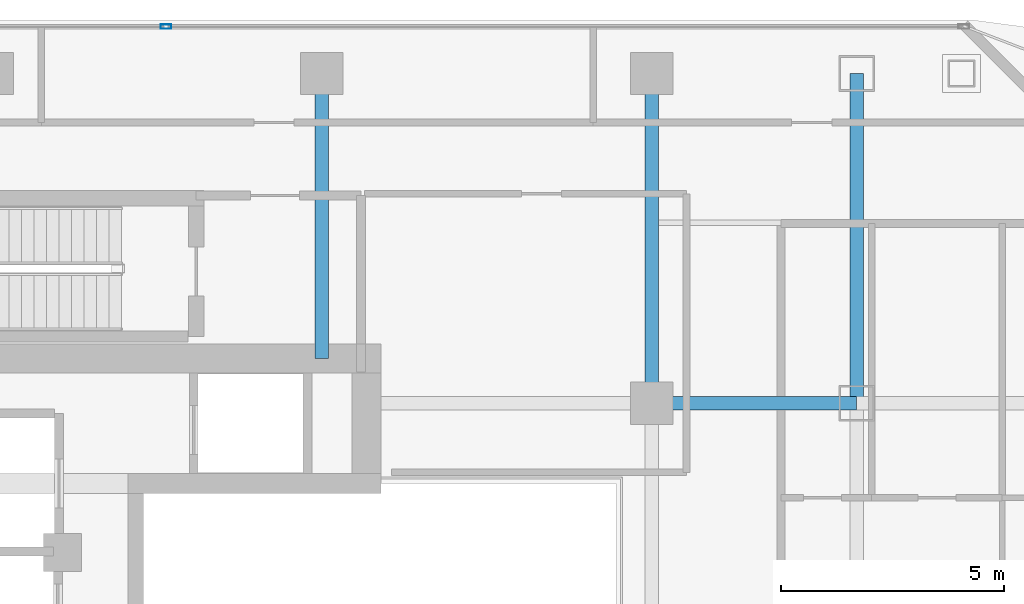
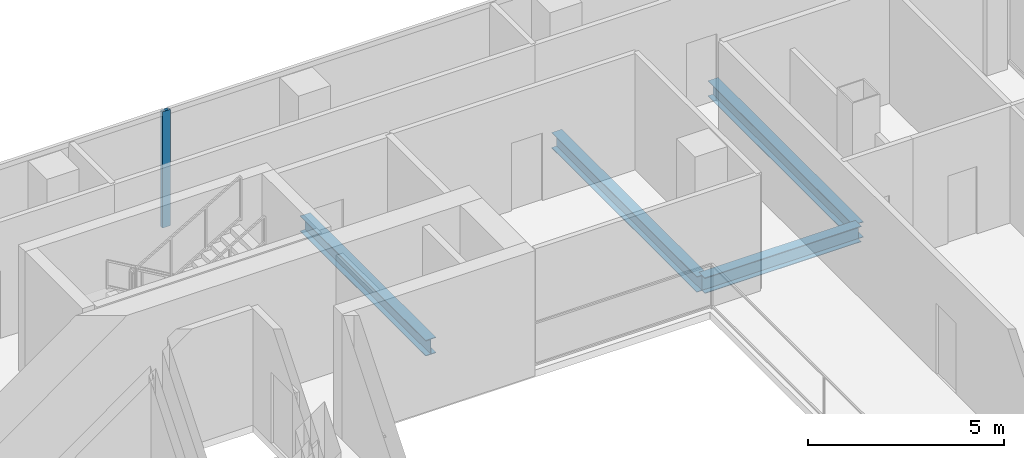
# One storey, part 16 of 26: 4 beams, 1 member, 1 element without a shape of its own.
"""IFC4 building model written with IfcOpenShell, lengths in metres."""

from ifc_helpers import new_model, si_unit, direction, frame, origin, origin_2d, place, context, subcontext, project, spatial, hollow_rectangle, i_section, extrude, material, layer, layer_set, material_profile, profile_set, type_object, element, aggregate, save


model = new_model("IFC4")

# Units and contexts
model_context = context("Model", 3, precision=1e-05, world=origin(), true_north=direction((0.0, 1.0)))
body_context = subcontext(model_context, "Body", "Model", "MODEL_VIEW")
ifc_project = project(units=[si_unit("LENGTHUNIT", "METRE"), si_unit("AREAUNIT", "SQUARE_METRE"), si_unit("VOLUMEUNIT", "CUBIC_METRE"), si_unit("PLANEANGLEUNIT", "RADIAN"), si_unit("MASSUNIT", "GRAM", prefix="KILO")], contexts=[model_context])

# Site, building, storey
site_placement = place(None, origin())
site = spatial("IfcSite", under=ifc_project, at=site_placement, CompositionType="ELEMENT")
building_placement = place(site_placement, origin())
building = spatial("IfcBuilding", under=site, at=building_placement, Name="Khorvyn Point Tower", CompositionType="ELEMENT")
storey_placement = place(building_placement, frame((0.0, 0.0, 250.800048828125)))
storey = spatial("IfcBuildingStorey", under=building, at=storey_placement, Name="L61", CompositionType="ELEMENT", Elevation=250.800048828125)

# Curtain wall, member
ifc_material_1 = material(Name="Anodised aluminium 6063-T6 and laminated Low-E glass", Category="aluminium")
ifc_layer = layer(ifc_material_1, 0.18994140625)
ifc_layer_set = layer_set([ifc_layer], Name="Stick-Built Acoustic Curtain Wall CW-SYS-03")
curtain_wall_type = type_object("IfcCurtainWallType", Name="Stick-Built Acoustic Curtain Wall CW-SYS-03", PredefinedType="NOTDEFINED", material=ifc_layer_set)
curtain_wall_placement = place(storey_placement, origin())
curtain_wall = element("IfcCurtainWall", 1, at=curtain_wall_placement, inside=storey, type_object=curtain_wall_type, Name="Curtain Wall", PredefinedType="NOTDEFINED")
ifc_material_2 = material(Name="Anodised aluminium 6063-T6", Category="aluminium")
ifc_material_profile_1 = material_profile(ifc_material_2, hollow_rectangle(XDim=0.10009765625, YDim=0.239990234375, WallThickness=0.0048828125, at=origin_2d()))
ifc_profile_set_1 = profile_set([ifc_material_profile_1], Name="Anodised aluminium 6063-T6 ALU-MUL-100x240")
member_type = type_object("IfcMemberType", Name="Anodised Aluminium 6063-T6 Mullion ALU-MUL-100x240", PredefinedType="MULLION", material=ifc_profile_set_1)
member_placement = place(storey_placement, frame((3.89990234375, 15.85009765625, 0.0), z_axis=(0.0, 0.0, 1.0), x_axis=(0.0, 1.0, 0.0)))
member = element("IfcMember", 2, at=member_placement, type_object=member_type, Name="Transom", PredefinedType="MULLION", context=body_context, shape_type="SweptSolid", body=[
    extrude(hollow_rectangle(XDim=0.10009765625, YDim=0.239990234375, WallThickness=0.0048828125, at=origin_2d()), origin(), (0.0, 0.0, 1.0), 3.619873046875),
])
aggregate(curtain_wall, [member])

# Beams
ifc_material_3 = material(Name="Steel S355", Category="steel")
ifc_material_profile_2 = material_profile(ifc_material_3, i_section(OverallWidth=0.300048828125, OverallDepth=0.488037109375, WebThickness=0.010986328125, FlangeThickness=0.01806640625, at=origin_2d()))
ifc_profile_set_2 = profile_set([ifc_material_profile_2], Name="Steel S355 H488x300x11x18")
beam_type = type_object("IfcBeamType", Name="Steel S355 Spandrel H488x300x11x18", PredefinedType="SPANDREL", material=ifc_profile_set_2)
beam_1_placement = place(storey_placement, frame((14.800048828125, 7.39990234375, -0.464111328125), z_axis=(1.0, 0.0, 0.0), x_axis=(0.0, 1.0, 0.0)))
element("IfcBeam", 3, at=beam_1_placement, inside=storey, type_object=beam_type, Name="Beam", PredefinedType="SPANDREL", context=body_context, shape_type="SweptSolid", body=[
    extrude(i_section(OverallWidth=0.300048828125, OverallDepth=0.488037109375, WebThickness=0.010986328125, FlangeThickness=0.01806640625, at=origin_2d()), origin(), (0.0, 0.0, 1.0), 4.599853515625),
])
beam_2_placement = place(storey_placement, frame((14.800048828125, 7.39990234375, -0.464111328125), z_axis=(0.0, 1.0, 0.0), x_axis=(-1.0, 0.0, 0.0)))
element("IfcBeam", 4, at=beam_2_placement, inside=storey, type_object=beam_type, Name="Beam", PredefinedType="SPANDREL", context=body_context, shape_type="SweptSolid", body=[
    extrude(i_section(OverallWidth=0.300048828125, OverallDepth=0.488037109375, WebThickness=0.010986328125, FlangeThickness=0.01806640625, at=origin_2d()), origin(), (0.0, 0.0, 1.0), 7.400146484375),
])
beam_3_placement = place(storey_placement, frame((7.39990234375, 8.39990234375, -0.464111328125), z_axis=(0.0, 1.0, 0.0), x_axis=(-1.0, 0.0, 0.0)))
element("IfcBeam", 5, at=beam_3_placement, inside=storey, type_object=beam_type, Name="Beam", PredefinedType="SPANDREL", context=body_context, shape_type="SweptSolid", body=[
    extrude(i_section(OverallWidth=0.300048828125, OverallDepth=0.488037109375, WebThickness=0.010986328125, FlangeThickness=0.01806640625, at=origin_2d()), origin(), (0.0, 0.0, 1.0), 6.400146484375),
])
beam_4_placement = place(storey_placement, frame((19.39990234375, 7.39990234375, -0.464111328125), z_axis=(0.0, 1.0, 0.0), x_axis=(-1.0, 0.0, 0.0)))
element("IfcBeam", 6, at=beam_4_placement, inside=storey, type_object=beam_type, Name="Beam", PredefinedType="SPANDREL", context=body_context, shape_type="SweptSolid", body=[
    extrude(i_section(OverallWidth=0.300048828125, OverallDepth=0.488037109375, WebThickness=0.010986328125, FlangeThickness=0.01806640625, at=origin_2d()), origin(), (0.0, 0.0, 1.0), 7.400146484375),
])

save(model, "model.ifc")
